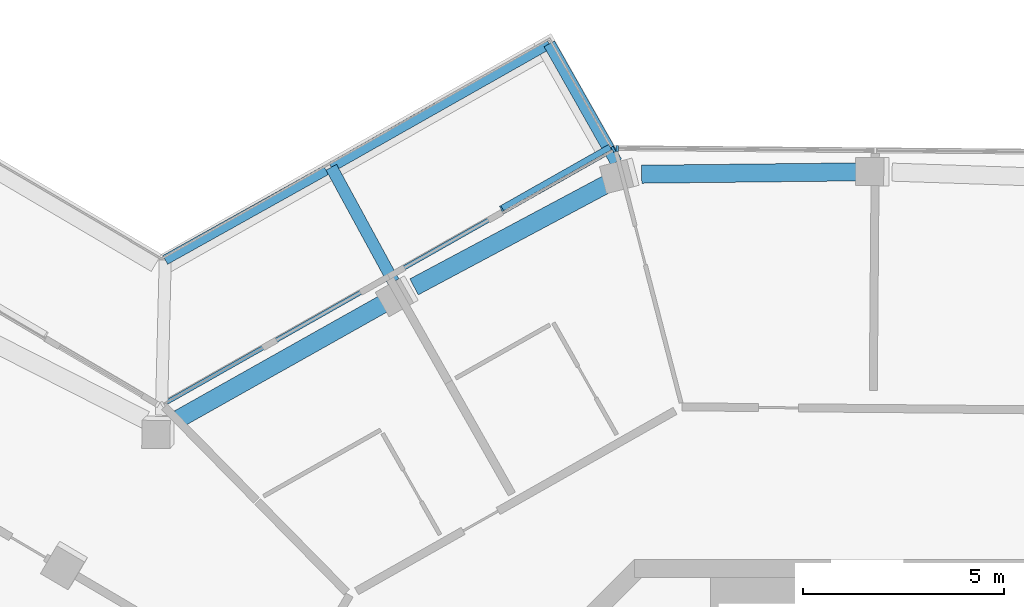
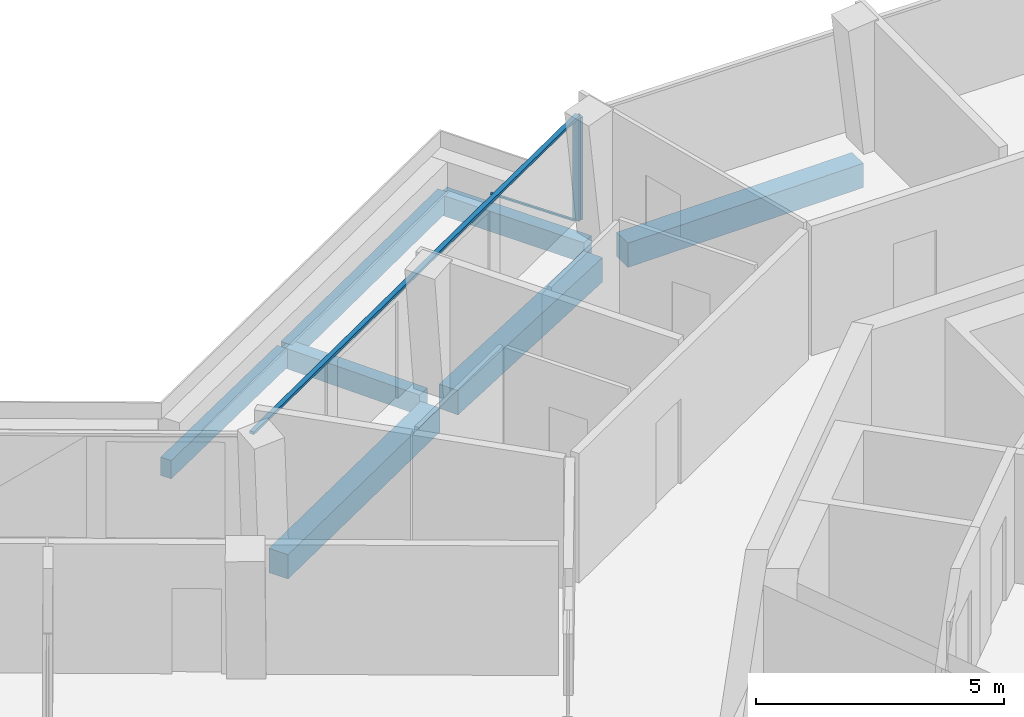
# One storey, part 7 of 24: 7 beams, 4 members, 2 elements without a shape of their own.
"""IFC4 building model written with IfcOpenShell, lengths in metres."""

import ifcopenshell
import ifcopenshell.guid

model = None  # the IFC model being written
_history = None  # IfcOwnerHistory: only IFC2X3 demands one
_inside = {}  # id of a spatial element -> (the spatial element, [elements in it])
_under = {}  # id of a project, library or spatial element -> (it, [spatial elements below it])
_declared = {}  # id of a project -> (the project, [libraries it declares])
_typed = {}  # id of a type object -> (the type object, [elements of that type])
_made_of = {}  # id of a material, layer set ... -> (it, [elements and type objects made of it])


def new_model(schema):
    """Start an empty IFC model of exactly this schema.

    Asked for "IFC4X3", IfcOpenShell would pick the latest addendum, in which some entities
    have other attributes; the version numbers below select the first issue.
    IFC2X3 requires an IfcOwnerHistory on every rooted entity: one is made here for all.
    """
    global model, _history
    if schema == "IFC4X3":
        model = ifcopenshell.file(schema_version=(4, 3, 0, 0))
    else:
        model = ifcopenshell.file(schema=schema)
    _inside.clear()
    _under.clear()
    _declared.clear()
    _typed.clear()
    _made_of.clear()
    _history = None
    if model.schema == "IFC2X3":
        org = make("IfcOrganization", Name="unknown")
        user = make(
            "IfcPersonAndOrganization",
            ThePerson=make("IfcPerson", FamilyName="unknown"),
            TheOrganization=org,
        )
        app = make(
            "IfcApplication",
            ApplicationDeveloper=org,
            Version="unknown",
            ApplicationFullName="unknown",
            ApplicationIdentifier="unknown",
        )
        _history = make(
            "IfcOwnerHistory",
            OwningUser=user,
            OwningApplication=app,
            ChangeAction="ADDED",
            CreationDate=0,
        )
    return model


def make(cls, **values):
    """One entity of the class cls with the attributes given. An attribute that is None is left unset."""
    return model.create_entity(
        cls, **{name: value for name, value in values.items() if value is not None}
    )


def rooted(cls, **values):
    """An entity with a GlobalId (a new one), such as an element, a storey or a relation."""
    return make(cls, GlobalId=ifcopenshell.guid.new(), OwnerHistory=_history, **values)


def si_unit(unit_type, name, prefix=None):
    """IfcSIUnit, for example si_unit("LENGTHUNIT", "METRE", prefix="MILLI")."""
    return make("IfcSIUnit", UnitType=unit_type, Prefix=prefix, Name=name)


def assignment(units):
    """IfcUnitAssignment: the units of a project."""
    return None if units is None else make("IfcUnitAssignment", Units=units)


def point(xyz):
    """IfcCartesianPoint."""
    return None if xyz is None else make("IfcCartesianPoint", Coordinates=xyz)


def direction(xyz):
    """IfcDirection."""
    return None if xyz is None else make("IfcDirection", DirectionRatios=xyz)


def frame(location, z_axis=None, x_axis=None):
    """IfcAxis2Placement3D, a coordinate frame: its origin and axes. An axis left out is left unset."""
    return make(
        "IfcAxis2Placement3D",
        Location=point(location),
        Axis=direction(z_axis),
        RefDirection=direction(x_axis),
    )


def frame_2d(location, x_axis=None):
    """IfcAxis2Placement2D, a coordinate frame in the plane: its origin and x axis."""
    return make(
        "IfcAxis2Placement2D", Location=point(location), RefDirection=direction(x_axis)
    )


def origin():
    """The frame at (0, 0, 0) with its axes left unset."""
    return frame((0.0, 0.0, 0.0))


def origin_2d():
    """The frame at (0, 0) in the plane with its x axis left unset."""
    return frame_2d((0.0, 0.0))


def place(relative_to, where):
    """IfcLocalPlacement: puts the frame where relative to a parent placement (None: the world)."""
    return make(
        "IfcLocalPlacement", PlacementRelTo=relative_to, RelativePlacement=where
    )


def context(
    kind, dimensions, precision=None, world=None, true_north=None, identifier=None
):
    """IfcGeometricRepresentationContext, for example the 3D "Model" context."""
    return make(
        "IfcGeometricRepresentationContext",
        ContextIdentifier=identifier,
        ContextType=kind,
        CoordinateSpaceDimension=dimensions,
        Precision=precision,
        WorldCoordinateSystem=world,
        TrueNorth=true_north,
    )


def subcontext(parent, identifier, kind, view, scale=None):
    """IfcGeometricRepresentationSubContext, for example "Body" below "Model"."""
    return make(
        "IfcGeometricRepresentationSubContext",
        ContextIdentifier=identifier,
        ContextType=kind,
        ParentContext=parent,
        TargetScale=scale,
        TargetView=view,
    )


def project(units=None, contexts=None):
    """IfcProject with its units and contexts."""
    return rooted(
        "IfcProject",
        Name="project",
        RepresentationContexts=contexts,
        UnitsInContext=assignment(units),
    )


def spatial(cls, under=None, at=None, **own):
    """A site, building, storey or space (cls), placed at a placement, below another one or the project."""
    s = rooted(cls, ObjectPlacement=at, **own)
    if under is not None:
        _under.setdefault(under.id(), (under, []))[1].append(s)
    return s


def profile(cls, at=None, kind="AREA", **sizes):
    """A parametric profile (cls). Its sizes go by their IFC names, for example OverallWidth=200.0."""
    return make(cls, ProfileType=kind, Position=at, **sizes)


def rectangle(**sizes):
    """IfcRectangleProfileDef."""
    return profile("IfcRectangleProfileDef", **sizes)


def extrude(swept, where, along, depth):
    """IfcExtrudedAreaSolid: the profile swept, set in the frame where, extruded along a direction by depth."""
    return make(
        "IfcExtrudedAreaSolid",
        SweptArea=swept,
        Position=where,
        ExtrudedDirection=direction(along),
        Depth=depth,
    )


def shape(context_of_items, identifier, shape_type, items):
    """IfcShapeRepresentation: the items that make up one representation, for example the "Body"."""
    return make(
        "IfcShapeRepresentation",
        ContextOfItems=context_of_items,
        RepresentationIdentifier=identifier,
        RepresentationType=shape_type,
        Items=items,
    )


def material(Name=None, Category=None):
    """IfcMaterial."""
    return make("IfcMaterial", Name=Name, Category=Category)


def layer(
    of_material, thickness, ventilated=None, Name=None, Category=None, Priority=None
):
    """IfcMaterialLayer: one layer of a wall or slab, of a material (None: an air gap)."""
    return make(
        "IfcMaterialLayer",
        Material=of_material,
        LayerThickness=thickness,
        IsVentilated=ventilated,
        Name=Name,
        Category=Category,
        Priority=Priority,
    )


def layer_set(layers, Name=None):
    """IfcMaterialLayerSet."""
    return make("IfcMaterialLayerSet", MaterialLayers=layers, LayerSetName=Name)


def material_profile(
    of_material, cross_section, Name=None, Category=None, Priority=None
):
    """IfcMaterialProfile: a cross section and its material."""
    return make(
        "IfcMaterialProfile",
        Name=Name,
        Material=of_material,
        Profile=cross_section,
        Priority=Priority,
        Category=Category,
    )


def profile_set(profiles, Name=None, composite=None):
    """IfcMaterialProfileSet."""
    return make(
        "IfcMaterialProfileSet",
        Name=Name,
        MaterialProfiles=profiles,
        CompositeProfile=composite,
    )


def made_of(thing, what):
    """Note that an element or type object is made of a material, layer set ...; save() writes the relation."""
    if what is not None:
        _made_of.setdefault(what.id(), (what, []))[1].append(thing)
    return thing


def type_object(cls, material=None, **own):
    """A type object (cls), such as IfcWallType, which elements share."""
    return made_of(rooted(cls, **own), material)


def element(
    cls,
    number,
    at=None,
    inside=None,
    cuts=None,
    type_object=None,
    material=None,
    context=None,
    identifier="Body",
    shape_type=None,
    held_by="IfcProductDefinitionShape",
    body=None,
    shapes=None,
    **own,
):
    """One element of the class cls, such as IfcWall. Its Tag is "e" and its number.

    at: its placement. inside: the storey or other place that contains it. cuts: it is an
    opening in that element (IfcRelVoidsElement). A single representation is given by context,
    identifier, shape_type and body (its items); several are given by shapes. held_by: the class
    of the entity that holds the representations. save() writes the other relations.
    """
    e = rooted(cls, Tag="e%d" % number, ObjectPlacement=at, **own)
    if body is not None:
        shapes = [shape(context, identifier, shape_type, body)]
    if shapes is not None:
        e.Representation = make(held_by, Representations=shapes)
    if inside is not None:
        _inside.setdefault(inside.id(), (inside, []))[1].append(e)
    if cuts is not None:
        rooted(
            "IfcRelVoidsElement", RelatingBuildingElement=cuts, RelatedOpeningElement=e
        )
    if type_object is not None:
        _typed.setdefault(type_object.id(), (type_object, []))[1].append(e)
    return made_of(e, material)


def aggregate(whole, parts):
    """IfcRelAggregates: a whole, such as a stair, and the parts it consists of."""
    return rooted("IfcRelAggregates", RelatingObject=whole, RelatedObjects=parts)


def save(model, path):
    """Write the relations noted so far, then the file.

    IfcRelAggregates (storeys below a building ...), IfcRelContainedInSpatialStructure (elements
    in a storey), IfcRelDefinesByType, IfcRelAssociatesMaterial and IfcRelDeclares: one each for
    every whole, place, type object, material and project.
    """
    for whole, parts in _under.values():
        aggregate(whole, parts)
    for where, things in _inside.values():
        rooted(
            "IfcRelContainedInSpatialStructure",
            RelatedElements=things,
            RelatingStructure=where,
        )
    for kind, things in _typed.values():
        rooted("IfcRelDefinesByType", RelatedObjects=things, RelatingType=kind)
    for what, things in _made_of.values():
        rooted("IfcRelAssociatesMaterial", RelatedObjects=things, RelatingMaterial=what)
    for by, libraries in _declared.values():
        rooted("IfcRelDeclares", RelatingContext=by, RelatedDefinitions=libraries)
    model.write(path)


model = new_model("IFC4")

# Units and contexts
model_context = context("Model", 3, precision=1e-05, world=origin(), true_north=direction((0.0, 1.0)))
body_context = subcontext(model_context, "Body", "Model", "MODEL_VIEW")
ifc_project = project(units=[si_unit("LENGTHUNIT", "METRE"), si_unit("AREAUNIT", "SQUARE_METRE"), si_unit("VOLUMEUNIT", "CUBIC_METRE"), si_unit("PLANEANGLEUNIT", "RADIAN"), si_unit("MASSUNIT", "GRAM", prefix="KILO")], contexts=[model_context])

# Site, building, storey
site_placement = place(None, origin())
site = spatial("IfcSite", under=ifc_project, at=site_placement, CompositionType="ELEMENT")
building_placement = place(site_placement, origin())
building = spatial("IfcBuilding", under=site, at=building_placement, Name="Verdalira Terraces Hotel", CompositionType="ELEMENT")
storey_placement = place(building_placement, frame((0.0, 0.0, 277.5)))
storey = spatial("IfcBuildingStorey", under=building, at=storey_placement, Name="L68", CompositionType="ELEMENT", Elevation=277.5)

# Beams
ifc_material_1 = material(Name="Concrete C40", Category="concrete")
ifc_material_profile_1 = material_profile(ifc_material_1, rectangle(XDim=0.300049, YDim=0.5, at=origin_2d()), Name="RC 300X500")
ifc_profile_set_1 = profile_set([ifc_material_profile_1], Name="Concrete C40")
beam_type_1 = type_object("IfcBeamType", Name="Balcony cantilever beam RC 300X500 C40", PredefinedType="BEAM", material=ifc_profile_set_1)
beam_1_placement = place(storey_placement, frame((-6.248779, 23.895752, -0.560059), z_axis=(-0.492741446, 0.870175768, 0.0), x_axis=(-0.870175768, -0.492741446, 0.0)))
element("IfcBeam", 1, at=beam_1_placement, inside=storey, type_object=beam_type_1, Name="Balcony cantilever beam R41-2", PredefinedType="BEAM", context=body_context, shape_type="SweptSolid", body=[
    extrude(rectangle(XDim=0.300049, YDim=0.5, at=origin_2d()), origin(), (0.0, 0.0, 1.0), 3.385498),
])
beam_2_placement = place(storey_placement, frame((-11.793701, 20.911621, -0.560059), z_axis=(-0.478094243, 0.878308542, 0.0), x_axis=(-0.878308542, -0.478094243, 0.0)))
element("IfcBeam", 2, at=beam_2_placement, inside=storey, type_object=beam_type_1, Name="Balcony cantilever beam R41-3", PredefinedType="BEAM", context=body_context, shape_type="SweptSolid", body=[
    extrude(rectangle(XDim=0.300049, YDim=0.5, at=origin_2d()), origin(), (0.0, 0.0, 1.0), 3.250732),
])
ifc_material_2 = material(Name="Concrete C40", Category="concrete")
ifc_material_profile_2 = material_profile(ifc_material_2, rectangle(XDim=0.25, YDim=0.449951, at=origin_2d()), Name="RC 250X450")
ifc_profile_set_2 = profile_set([ifc_material_profile_2], Name="Concrete C40")
beam_type_2 = type_object("IfcBeamType", Name="Balcony edge beam RC 250X450 C40", PredefinedType="BEAM", material=ifc_profile_set_2)
beam_3_placement = place(storey_placement, frame((-7.916992, 26.841797, -0.534912), z_axis=(-0.870198313, -0.49270163, 0.0), x_axis=(0.49270163, -0.870198313, 0.0)))
element("IfcBeam", 3, at=beam_3_placement, inside=storey, type_object=beam_type_2, Name="Balcony edge beam R41-1", PredefinedType="BEAM", context=body_context, shape_type="SweptSolid", body=[
    extrude(rectangle(XDim=0.25, YDim=0.449951, at=origin_2d()), origin(), (0.0, 0.0, 1.0), 6.240967),
])
beam_4_placement = place(storey_placement, frame((-13.479004, 23.693604, -0.534912), z_axis=(-0.873118128, -0.487508701, 0.0), x_axis=(0.487508701, -0.873118128, 0.0)))
element("IfcBeam", 4, at=beam_4_placement, inside=storey, type_object=beam_type_2, Name="Balcony edge beam R41-2", PredefinedType="BEAM", context=body_context, shape_type="SweptSolid", body=[
    extrude(rectangle(XDim=0.25, YDim=0.449951, at=origin_2d()), origin(), (0.0, 0.0, 1.0), 4.585693),
])

# Curtain wall, member
ifc_material_3 = material(Name="Clear glass", Category="glass")
ifc_layer = layer(ifc_material_3, 0.14990234375)
ifc_layer_set = layer_set([ifc_layer], Name="CW1 curtain wall")
curtain_wall_type = type_object("IfcCurtainWallType", Name="CW1 curtain wall", PredefinedType="NOTDEFINED", material=ifc_layer_set)
curtain_wall_1_placement = place(storey_placement, origin())
curtain_wall_1 = element("IfcCurtainWall", 5, at=curtain_wall_1_placement, inside=storey, type_object=curtain_wall_type, Name="CW1 curtain wall L68 edge 40", PredefinedType="NOTDEFINED")
ifc_material_4 = material(Name="Terracotta frame", Category="masonry")
ifc_material_profile_3 = material_profile(ifc_material_4, rectangle(XDim=0.060059, YDim=0.149902, at=origin_2d()), Name="MU 60x150")
ifc_profile_set_3 = profile_set([ifc_material_profile_3], Name="Terracotta frame")
member_type_1 = type_object("IfcMemberType", Name="CW1 mullion 60x150", PredefinedType="MULLION", material=ifc_profile_set_3)
member_1_placement = place(storey_placement, frame((-6.227051, 24.236328, 0.0), z_axis=(0.0, 0.0, 1.0), x_axis=(-0.999964908, 0.008377482, 0.0)))
member_1 = element("IfcMember", 6, at=member_1_placement, type_object=member_type_1, Name="CW1 mullion", PredefinedType="MULLION", context=body_context, shape_type="SweptSolid", body=[
    extrude(rectangle(XDim=0.060059, YDim=0.149902, at=origin_2d()), origin(), (0.0, 0.0, 1.0), 2.524902),
])
aggregate(curtain_wall_1, [member_1])

# Curtain wall, members
curtain_wall_2_placement = place(storey_placement, origin())
curtain_wall_2 = element("IfcCurtainWall", 7, at=curtain_wall_2_placement, inside=storey, type_object=curtain_wall_type, Name="CW1 curtain wall L68 edge 41", PredefinedType="NOTDEFINED")
member_2_placement = place(storey_placement, frame((-6.320557, 24.212158, 0.0), z_axis=(0.0, 0.0, 1.0), x_axis=(-0.870183755, -0.492727342, 0.0)))
member_2 = element("IfcMember", 8, at=member_2_placement, type_object=member_type_1, Name="CW1 mullion", PredefinedType="MULLION", context=body_context, shape_type="SweptSolid", body=[
    extrude(rectangle(XDim=0.060059, YDim=0.149902, at=origin_2d()), origin(), (0.0, 0.0, 1.0), 2.524902),
])
ifc_material_5 = material(Name="Terracotta frame", Category="masonry")
ifc_material_profile_4 = material_profile(ifc_material_5, rectangle(XDim=0.110107, YDim=0.064941, at=origin_2d()), Name="TR 65x110")
ifc_profile_set_4 = profile_set([ifc_material_profile_4], Name="Terracotta frame")
member_type_2 = type_object("IfcMemberType", Name="CW1 transom 65x110", PredefinedType="USERDEFINED", material=ifc_profile_set_4)
member_3_placement = place(storey_placement, frame((-6.294678, 24.226807, 2.557617), z_axis=(-0.870187516, -0.492720698, 0.0), x_axis=(0.492720698, -0.870187516, 0.0)))
member_3 = element("IfcMember", 9, at=member_3_placement, type_object=member_type_2, Name="CW1 transom", ObjectType="TRANSOM", PredefinedType="USERDEFINED", context=body_context, shape_type="SweptSolid", body=[
    extrude(rectangle(XDim=0.110107, YDim=0.064941, at=origin_2d()), origin(), (0.0, 0.0, 1.0), 12.959717),
])
ifc_material_6 = material(Name="Terracotta frame", Category="masonry")
ifc_material_profile_5 = material_profile(ifc_material_6, rectangle(XDim=0.149902, YDim=0.060059, at=origin_2d()), Name="GB 60x150")
ifc_profile_set_5 = profile_set([ifc_material_profile_5], Name="Terracotta frame")
member_type_3 = type_object("IfcMemberType", Name="Diagonal glazing bar 60x150", PredefinedType="USERDEFINED", material=ifc_profile_set_5)
member_4_placement = place(storey_placement, frame((-6.41748, 24.259521, 0.024658), z_axis=(-0.678947991, -0.384471957, 0.625468577), x_axis=(0.492755237, -0.870167959, 0.0)))
member_4 = element("IfcMember", 10, at=member_4_placement, type_object=member_type_3, Name="Diagonal glazing bar", ObjectType="GLAZING BAR", PredefinedType="USERDEFINED", context=body_context, shape_type="SweptSolid", body=[
    extrude(rectangle(XDim=0.149902, YDim=0.060059, at=origin_2d()), origin(), (0.0, 0.0, 1.0), 3.958008),
])
aggregate(curtain_wall_2, [member_2, member_3, member_4])

# Beams
ifc_material_7 = material(Name="Concrete C40", Category="concrete")
ifc_material_profile_6 = material_profile(ifc_material_7, rectangle(XDim=0.449951, YDim=0.600098, at=origin_2d()), Name="RC 450X600")
ifc_profile_set_6 = profile_set([ifc_material_profile_6], Name="Concrete C40")
beam_type_3 = type_object("IfcBeamType", Name="Spandrel beam RC 450X600 C40", PredefinedType="SPANDREL", material=ifc_profile_set_6)
beam_5_placement = place(storey_placement, frame((-0.095215, 23.652344, -0.610107), z_axis=(-0.999940356, -0.010921786, 0.0), x_axis=(0.010921786, -0.999940356, 0.0)))
element("IfcBeam", 11, at=beam_5_placement, inside=storey, type_object=beam_type_3, Name="Spandrel beam B27", PredefinedType="SPANDREL", context=body_context, shape_type="SweptSolid", body=[
    extrude(rectangle(XDim=0.449951, YDim=0.600098, at=origin_2d()), origin(), (0.0, 0.0, 1.0), 5.52124),
])
beam_6_placement = place(storey_placement, frame((-6.411865, 23.386719, -0.610107), z_axis=(-0.88230522, -0.470677702, 0.0), x_axis=(0.470677702, -0.88230522, 0.0)))
element("IfcBeam", 12, at=beam_6_placement, inside=storey, type_object=beam_type_3, Name="Spandrel beam B28", PredefinedType="SPANDREL", context=body_context, shape_type="SweptSolid", body=[
    extrude(rectangle(XDim=0.449951, YDim=0.600098, at=origin_2d()), origin(), (0.0, 0.0, 1.0), 5.523682),
])
beam_7_placement = place(storey_placement, frame((-11.906006, 20.446777, -0.610107), z_axis=(-0.871616749, -0.490187967, 0.0), x_axis=(0.490187967, -0.871616749, 0.0)))
element("IfcBeam", 13, at=beam_7_placement, inside=storey, type_object=beam_type_3, Name="Spandrel beam B29", PredefinedType="SPANDREL", context=body_context, shape_type="SweptSolid", body=[
    extrude(rectangle(XDim=0.449951, YDim=0.600098, at=origin_2d()), origin(), (0.0, 0.0, 1.0), 6.011475),
])

save(model, "model.ifc")
